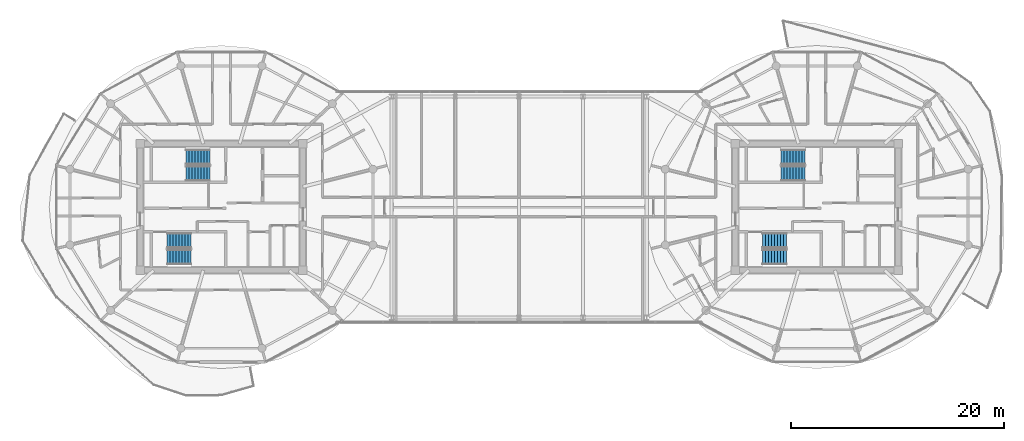
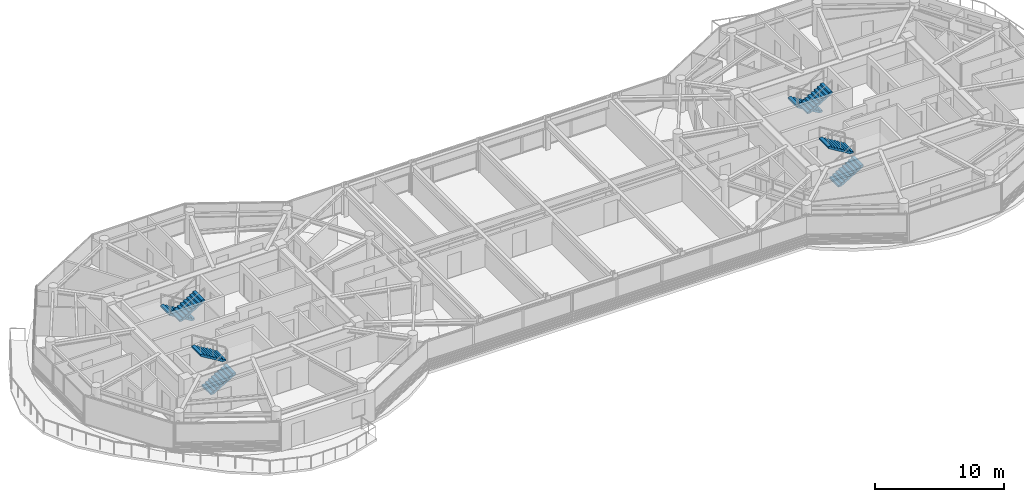
# One storey, part 20 of 24: 8 stair flights, 4 elements without a shape of their own.
"""IFC4 building model written with IfcOpenShell, lengths in metres."""

from ifc_helpers import new_model, si_unit, direction, frame, origin, place, context, subcontext, project, spatial, polyline, outline, extrude, material, type_object, element, aggregate, save


model = new_model("IFC4")

# Units and contexts
model_context = context("Model", 3, precision=1e-05, world=origin(), true_north=direction((0.0, 1.0)))
body_context = subcontext(model_context, "Body", "Model", "MODEL_VIEW")
ifc_project = project(units=[si_unit("LENGTHUNIT", "METRE"), si_unit("AREAUNIT", "SQUARE_METRE"), si_unit("VOLUMEUNIT", "CUBIC_METRE"), si_unit("PLANEANGLEUNIT", "RADIAN"), si_unit("MASSUNIT", "GRAM", prefix="KILO")], contexts=[model_context])

# Site, building, storey
site_placement = place(None, origin())
site = spatial("IfcSite", under=ifc_project, at=site_placement, CompositionType="ELEMENT")
building_placement = place(site_placement, origin())
building = spatial("IfcBuilding", under=site, at=building_placement, Name="Norrkilde Senior Care Towers", CompositionType="ELEMENT")
storey_placement = place(building_placement, frame((0.0, 0.0, 223.050048828125)))
storey = spatial("IfcBuildingStorey", under=building, at=storey_placement, Name="L69", CompositionType="ELEMENT", Elevation=223.050048828125)

# Stair, stair flights
ifc_material = material(Name="Concrete C45/55", Category="concrete")
stair_type = type_object("IfcStairType", Name="Core Protected Dogleg Stair Typical 3050", PredefinedType="HALF_TURN_STAIR", material=ifc_material)
stair_1_placement = place(storey_placement, origin())
stair_1 = element("IfcStair", 1, at=stair_1_placement, inside=storey, type_object=stair_type, Name="L69 Protected Core Stair W1", PredefinedType="HALF_TURN_STAIR")
stair_flight_type = type_object("IfcStairFlightType", Name="Core Protected Dogleg Stair Typical 3050 Flight", PredefinedType="STRAIGHT", material=ifc_material)
stair_flight_1_placement = place(storey_placement, frame((-29.10009765625, 4.699951171875, 0.0), z_axis=(0.0, 0.0, 1.0), x_axis=(-1.0, 0.0, 0.0)))
stair_flight_1 = element("IfcStairFlight", 2, at=stair_flight_1_placement, type_object=stair_flight_type, Name="ST-W1 flight 1", NumberOfRisers=9, NumberOfTreads=8, PredefinedType="STRAIGHT", RiserHeight=0.169444444, TreadLength=0.28, context=body_context, shape_type="SweptSolid", body=[
    extrude(outline(polyline([(0.0, 0.0), (0.0, 0.16943359375), (0.280029296875, 0.16943359375), (0.280029296875, 0.3388671875), (0.56005859375, 0.3388671875), (0.56005859375, 0.50830078125), (0.840087890625, 0.50830078125), (0.840087890625, 0.677734375), (1.1201171875, 0.677734375), (1.1201171875, 0.84716796875), (1.39990234375, 0.84716796875), (1.39990234375, 1.0166015625), (1.679931640625, 1.0166015625), (1.679931640625, 1.18603515625), (1.9599609375, 1.18603515625), (1.9599609375, 1.35546875), (2.239990234375, 1.35546875), (2.239990234375, 1.52490234375), (2.239990234375, 1.180419921875), (0.28955078125, 0.0), (0.0, 0.0)])), frame((0.0, 0.699951171875, 0.0), z_axis=(0.0, -1.0, 0.0), x_axis=(1.0, 0.0, 0.0)), (0.0, 0.0, 1.0), 1.39990234375),
])
stair_flight_2_placement = place(storey_placement, frame((-31.340087890625, 3.14990234375, 1.52490234375), z_axis=(0.0, 0.0, 1.0), x_axis=(1.0, 0.0, 0.0)))
stair_flight_2 = element("IfcStairFlight", 3, at=stair_flight_2_placement, type_object=stair_flight_type, Name="ST-W1 flight 2", NumberOfRisers=9, NumberOfTreads=8, PredefinedType="STRAIGHT", RiserHeight=0.169444444, TreadLength=0.28, context=body_context, shape_type="SweptSolid", body=[
    extrude(outline(polyline([(0.0, 0.0), (0.0, 0.16943359375), (0.280029296875, 0.16943359375), (0.280029296875, 0.3388671875), (0.56005859375, 0.3388671875), (0.56005859375, 0.50830078125), (0.840087890625, 0.50830078125), (0.840087890625, 0.677734375), (1.1201171875, 0.677734375), (1.1201171875, 0.84716796875), (1.39990234375, 0.84716796875), (1.39990234375, 1.0166015625), (1.679931640625, 1.0166015625), (1.679931640625, 1.18603515625), (1.9599609375, 1.18603515625), (1.9599609375, 1.35546875), (2.239990234375, 1.35546875), (2.239990234375, 1.52490234375), (2.239990234375, 1.180419921875), (0.28955078125, 0.0), (0.0, 0.0)])), frame((0.0, 0.699951171875, 0.0), z_axis=(0.0, -1.0, 0.0), x_axis=(1.0, 0.0, 0.0)), (0.0, 0.0, 1.0), 1.39990234375),
])
aggregate(stair_1, [stair_flight_1, stair_flight_2])

stair_2_placement = place(storey_placement, origin())
stair_2 = element("IfcStair", 4, at=stair_2_placement, inside=storey, type_object=stair_type, Name="L69 Protected Core Stair W2", PredefinedType="HALF_TURN_STAIR")
stair_flight_3_placement = place(storey_placement, frame((-33.10009765625, -4.699951171875, 0.0), z_axis=(0.0, 0.0, 1.0), x_axis=(1.0, 0.0, 0.0)))
stair_flight_3 = element("IfcStairFlight", 5, at=stair_flight_3_placement, type_object=stair_flight_type, Name="ST-W2 flight 1", NumberOfRisers=9, NumberOfTreads=8, PredefinedType="STRAIGHT", RiserHeight=0.169444444, TreadLength=0.28, context=body_context, shape_type="SweptSolid", body=[
    extrude(outline(polyline([(0.0, 0.0), (0.0, 0.16943359375), (0.280029296875, 0.16943359375), (0.280029296875, 0.3388671875), (0.56005859375, 0.3388671875), (0.56005859375, 0.50830078125), (0.840087890625, 0.50830078125), (0.840087890625, 0.677734375), (1.1201171875, 0.677734375), (1.1201171875, 0.84716796875), (1.39990234375, 0.84716796875), (1.39990234375, 1.0166015625), (1.679931640625, 1.0166015625), (1.679931640625, 1.18603515625), (1.9599609375, 1.18603515625), (1.9599609375, 1.35546875), (2.239990234375, 1.35546875), (2.239990234375, 1.52490234375), (2.239990234375, 1.180419921875), (0.28955078125, 0.0), (0.0, 0.0)])), frame((0.0, 0.699951171875, 0.0), z_axis=(0.0, -1.0, 0.0), x_axis=(1.0, 0.0, 0.0)), (0.0, 0.0, 1.0), 1.39990234375),
])
stair_flight_4_placement = place(storey_placement, frame((-30.860107421875, -3.14990234375, 1.52490234375), z_axis=(0.0, 0.0, 1.0), x_axis=(-1.0, 0.0, 0.0)))
stair_flight_4 = element("IfcStairFlight", 6, at=stair_flight_4_placement, type_object=stair_flight_type, Name="ST-W2 flight 2", NumberOfRisers=9, NumberOfTreads=8, PredefinedType="STRAIGHT", RiserHeight=0.169444444, TreadLength=0.28, context=body_context, shape_type="SweptSolid", body=[
    extrude(outline(polyline([(0.0, 0.0), (0.0, 0.16943359375), (0.280029296875, 0.16943359375), (0.280029296875, 0.3388671875), (0.56005859375, 0.3388671875), (0.56005859375, 0.50830078125), (0.840087890625, 0.50830078125), (0.840087890625, 0.677734375), (1.1201171875, 0.677734375), (1.1201171875, 0.84716796875), (1.39990234375, 0.84716796875), (1.39990234375, 1.0166015625), (1.679931640625, 1.0166015625), (1.679931640625, 1.18603515625), (1.9599609375, 1.18603515625), (1.9599609375, 1.35546875), (2.239990234375, 1.35546875), (2.239990234375, 1.52490234375), (2.239990234375, 1.180419921875), (0.28955078125, 0.0), (0.0, 0.0)])), frame((0.0, 0.699951171875, 0.0), z_axis=(0.0, -1.0, 0.0), x_axis=(1.0, 0.0, 0.0)), (0.0, 0.0, 1.0), 1.39990234375),
])
aggregate(stair_2, [stair_flight_3, stair_flight_4])

stair_3_placement = place(storey_placement, origin())
stair_3 = element("IfcStair", 7, at=stair_3_placement, inside=storey, type_object=stair_type, Name="L69 Protected Core Stair E1", PredefinedType="HALF_TURN_STAIR")
stair_flight_5_placement = place(storey_placement, frame((26.89990234375, 4.699951171875, 0.0), z_axis=(0.0, 0.0, 1.0), x_axis=(-1.0, 0.0, 0.0)))
stair_flight_5 = element("IfcStairFlight", 8, at=stair_flight_5_placement, type_object=stair_flight_type, Name="ST-E1 flight 1", NumberOfRisers=9, NumberOfTreads=8, PredefinedType="STRAIGHT", RiserHeight=0.169444444, TreadLength=0.28, context=body_context, shape_type="SweptSolid", body=[
    extrude(outline(polyline([(0.0, 0.0), (0.0, 0.16943359375), (0.280029296875, 0.16943359375), (0.280029296875, 0.3388671875), (0.56005859375, 0.3388671875), (0.56005859375, 0.50830078125), (0.840087890625, 0.50830078125), (0.840087890625, 0.677734375), (1.1201171875, 0.677734375), (1.1201171875, 0.84716796875), (1.39990234375, 0.84716796875), (1.39990234375, 1.0166015625), (1.679931640625, 1.0166015625), (1.679931640625, 1.18603515625), (1.9599609375, 1.18603515625), (1.9599609375, 1.35546875), (2.239990234375, 1.35546875), (2.239990234375, 1.52490234375), (2.239990234375, 1.180419921875), (0.28955078125, 0.0), (0.0, 0.0)])), frame((0.0, 0.699951171875, 0.0), z_axis=(0.0, -1.0, 0.0), x_axis=(1.0, 0.0, 0.0)), (0.0, 0.0, 1.0), 1.39990234375),
])
stair_flight_6_placement = place(storey_placement, frame((24.659912109375, 3.14990234375, 1.52490234375), z_axis=(0.0, 0.0, 1.0), x_axis=(1.0, 0.0, 0.0)))
stair_flight_6 = element("IfcStairFlight", 9, at=stair_flight_6_placement, type_object=stair_flight_type, Name="ST-E1 flight 2", NumberOfRisers=9, NumberOfTreads=8, PredefinedType="STRAIGHT", RiserHeight=0.169444444, TreadLength=0.28, context=body_context, shape_type="SweptSolid", body=[
    extrude(outline(polyline([(0.0, 0.0), (0.0, 0.16943359375), (0.280029296875, 0.16943359375), (0.280029296875, 0.3388671875), (0.56005859375, 0.3388671875), (0.56005859375, 0.50830078125), (0.840087890625, 0.50830078125), (0.840087890625, 0.677734375), (1.1201171875, 0.677734375), (1.1201171875, 0.84716796875), (1.39990234375, 0.84716796875), (1.39990234375, 1.0166015625), (1.679931640625, 1.0166015625), (1.679931640625, 1.18603515625), (1.9599609375, 1.18603515625), (1.9599609375, 1.35546875), (2.239990234375, 1.35546875), (2.239990234375, 1.52490234375), (2.239990234375, 1.180419921875), (0.28955078125, 0.0), (0.0, 0.0)])), frame((0.0, 0.699951171875, 0.0), z_axis=(0.0, -1.0, 0.0), x_axis=(1.0, 0.0, 0.0)), (0.0, 0.0, 1.0), 1.39990234375),
])
aggregate(stair_3, [stair_flight_5, stair_flight_6])

stair_4_placement = place(storey_placement, origin())
stair_4 = element("IfcStair", 10, at=stair_4_placement, inside=storey, type_object=stair_type, Name="L69 Protected Core Stair E2", PredefinedType="HALF_TURN_STAIR")
stair_flight_7_placement = place(storey_placement, frame((22.89990234375, -4.699951171875, 0.0), z_axis=(0.0, 0.0, 1.0), x_axis=(1.0, 0.0, 0.0)))
stair_flight_7 = element("IfcStairFlight", 11, at=stair_flight_7_placement, type_object=stair_flight_type, Name="ST-E2 flight 1", NumberOfRisers=9, NumberOfTreads=8, PredefinedType="STRAIGHT", RiserHeight=0.169444444, TreadLength=0.28, context=body_context, shape_type="SweptSolid", body=[
    extrude(outline(polyline([(0.0, 0.0), (0.0, 0.16943359375), (0.280029296875, 0.16943359375), (0.280029296875, 0.3388671875), (0.56005859375, 0.3388671875), (0.56005859375, 0.50830078125), (0.840087890625, 0.50830078125), (0.840087890625, 0.677734375), (1.1201171875, 0.677734375), (1.1201171875, 0.84716796875), (1.39990234375, 0.84716796875), (1.39990234375, 1.0166015625), (1.679931640625, 1.0166015625), (1.679931640625, 1.18603515625), (1.9599609375, 1.18603515625), (1.9599609375, 1.35546875), (2.239990234375, 1.35546875), (2.239990234375, 1.52490234375), (2.239990234375, 1.180419921875), (0.28955078125, 0.0), (0.0, 0.0)])), frame((0.0, 0.699951171875, 0.0), z_axis=(0.0, -1.0, 0.0), x_axis=(1.0, 0.0, 0.0)), (0.0, 0.0, 1.0), 1.39990234375),
])
stair_flight_8_placement = place(storey_placement, frame((25.139892578125, -3.14990234375, 1.52490234375), z_axis=(0.0, 0.0, 1.0), x_axis=(-1.0, 0.0, 0.0)))
stair_flight_8 = element("IfcStairFlight", 12, at=stair_flight_8_placement, type_object=stair_flight_type, Name="ST-E2 flight 2", NumberOfRisers=9, NumberOfTreads=8, PredefinedType="STRAIGHT", RiserHeight=0.169444444, TreadLength=0.28, context=body_context, shape_type="SweptSolid", body=[
    extrude(outline(polyline([(0.0, 0.0), (0.0, 0.16943359375), (0.280029296875, 0.16943359375), (0.280029296875, 0.3388671875), (0.56005859375, 0.3388671875), (0.56005859375, 0.50830078125), (0.840087890625, 0.50830078125), (0.840087890625, 0.677734375), (1.1201171875, 0.677734375), (1.1201171875, 0.84716796875), (1.39990234375, 0.84716796875), (1.39990234375, 1.0166015625), (1.679931640625, 1.0166015625), (1.679931640625, 1.18603515625), (1.9599609375, 1.18603515625), (1.9599609375, 1.35546875), (2.239990234375, 1.35546875), (2.239990234375, 1.52490234375), (2.239990234375, 1.180419921875), (0.28955078125, 0.0), (0.0, 0.0)])), frame((0.0, 0.699951171875, 0.0), z_axis=(0.0, -1.0, 0.0), x_axis=(1.0, 0.0, 0.0)), (0.0, 0.0, 1.0), 1.39990234375),
])
aggregate(stair_4, [stair_flight_7, stair_flight_8])

save(model, "model.ifc")
